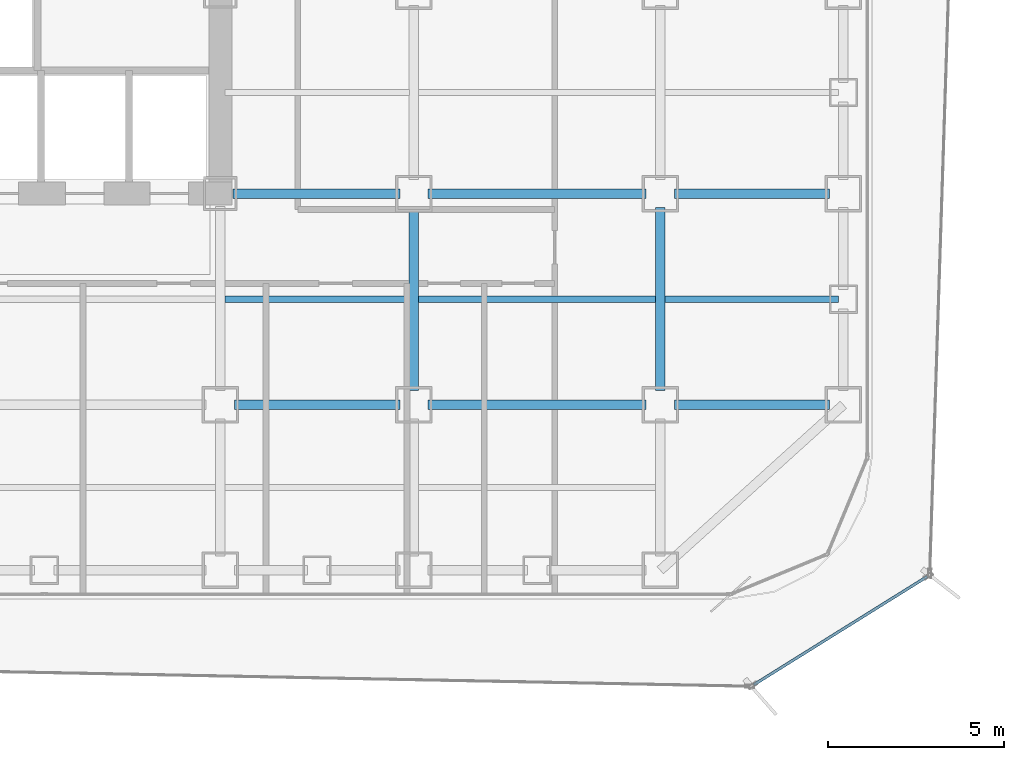
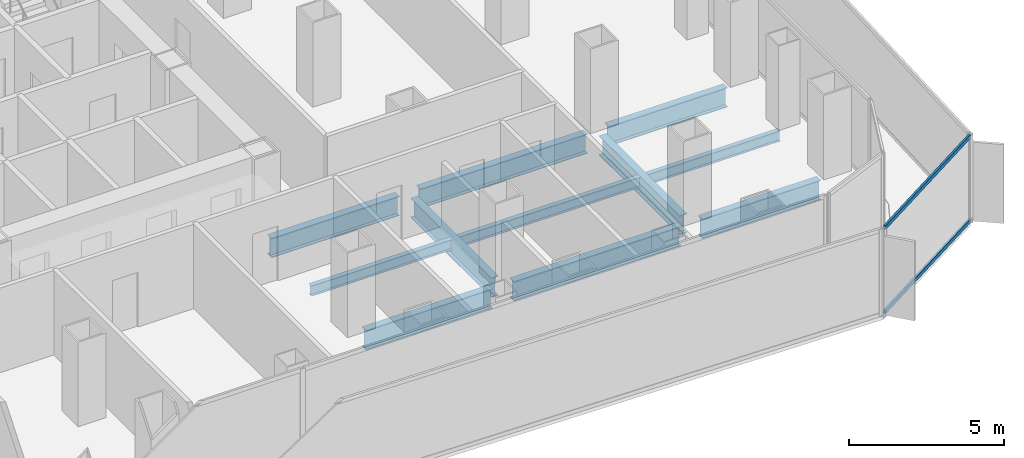
# One storey, part 7 of 22: 11 beams, 2 members, 1 element without a shape of its own.
"""IFC4 building model written with IfcOpenShell, lengths in metres."""

from ifc_helpers import new_model, si_unit, direction, frame, origin, origin_2d, place, context, subcontext, project, spatial, hollow_rectangle, i_section, extrude, source, transform, mapped, material, layer, layer_set, material_profile, profile_set, type_object, element, aggregate, save


model = new_model("IFC4")

# Units and contexts
model_context = context("Model", 3, precision=1e-05, world=origin(), true_north=direction((0.0, 1.0)))
body_context = subcontext(model_context, "Body", "Model", "MODEL_VIEW")
ifc_project = project(units=[si_unit("LENGTHUNIT", "METRE"), si_unit("AREAUNIT", "SQUARE_METRE"), si_unit("VOLUMEUNIT", "CUBIC_METRE"), si_unit("PLANEANGLEUNIT", "RADIAN"), si_unit("MASSUNIT", "GRAM", prefix="KILO")], contexts=[model_context])

# Site, building, storey
site_placement = place(None, origin())
site = spatial("IfcSite", under=ifc_project, at=site_placement, CompositionType="ELEMENT")
building_placement = place(site_placement, origin())
building = spatial("IfcBuilding", under=site, at=building_placement, Name="Kolveth Station Tower", CompositionType="ELEMENT")
storey_placement = place(building_placement, frame((0.0, 0.0, 51.300048828125)))
storey = spatial("IfcBuildingStorey", under=building, at=storey_placement, Name="L13", CompositionType="ELEMENT", Elevation=51.300048828125)

# Beams
ifc_material_1 = material(Name="Steel S355", Category="steel")
ifc_material_profile_1 = material_profile(ifc_material_1, i_section(OverallWidth=0.26708984375, OverallDepth=0.76611328125, WebThickness=0.014892578125, FlangeThickness=0.023681640625, at=origin_2d()), Name="W760x185")
ifc_profile_set_1 = profile_set([ifc_material_profile_1], Name="Steel S355")
beam_type_1 = type_object("IfcBeamType", Name="Beam_B3", PredefinedType="BEAM", material=ifc_profile_set_1)
shared_shape_1 = source(origin(), body_context, "Body", "SweptSolid", [
    extrude(i_section(OverallWidth=0.26708984375, OverallDepth=0.76611328125, WebThickness=0.014892578125, FlangeThickness=0.023681640625, at=origin_2d()), origin(), (0.0, 0.0, 1.0), 4.400146484375),
])
for number, where, z_axis, x_axis, name in (
    (1, (41.39990234375, 5.5, -0.6630859375), (1.0, 0.0, 0.0), (0.0, 1.0, 0.0), "L13 Primary Girder BM-L13-GY55-7"),
    (2, (41.39990234375, 11.5, -0.6630859375), (1.0, 0.0, 0.0), (0.0, 1.0, 0.0), "L13 Primary Girder BM-L13-GY115-7"),
):
    element("IfcBeam", number, at=place(storey_placement, frame(where, z_axis=z_axis, x_axis=x_axis)), inside=storey, type_object=beam_type_1, Name=name, PredefinedType="BEAM", context=body_context, shape_type="MappedRepresentation", body=[
        mapped(shared_shape_1, transform((0.0, 0.0, 0.0), x_axis=(1.0, 0.0, 0.0), y_axis=(0.0, 1.0, 0.0), z_axis=(0.0, 0.0, 1.0), scale=1.0)),
    ])
shared_shape_2 = source(origin(), body_context, "Body", "SweptSolid", [
    extrude(i_section(OverallWidth=0.26708984375, OverallDepth=0.76611328125, WebThickness=0.014892578125, FlangeThickness=0.023681640625, at=origin_2d()), origin(), (0.0, 0.0, 1.0), 6.2001953125),
])
for number, where, z_axis, x_axis, name in (
    (3, (34.39990234375, 5.5, -0.6630859375), (1.0, 0.0, 0.0), (0.0, 1.0, 0.0), "L13 Primary Girder BM-L13-GY55-6"),
    (4, (34.39990234375, 11.5, -0.6630859375), (1.0, 0.0, 0.0), (0.0, 1.0, 0.0), "L13 Primary Girder BM-L13-GY115-6"),
):
    element("IfcBeam", number, at=place(storey_placement, frame(where, z_axis=z_axis, x_axis=x_axis)), inside=storey, type_object=beam_type_1, Name=name, PredefinedType="BEAM", context=body_context, shape_type="MappedRepresentation", body=[
        mapped(shared_shape_2, transform((0.0, 0.0, 0.0), x_axis=(1.0, 0.0, 0.0), y_axis=(0.0, 1.0, 0.0), z_axis=(0.0, 0.0, 1.0), scale=1.0)),
    ])
shared_shape_3 = source(origin(), body_context, "Body", "SweptSolid", [
    extrude(i_section(OverallWidth=0.26708984375, OverallDepth=0.76611328125, WebThickness=0.014892578125, FlangeThickness=0.023681640625, at=origin_2d()), origin(), (0.0, 0.0, 1.0), 4.7001953125),
])
beam_1_placement = place(storey_placement, frame((28.89990234375, 5.5, -0.6630859375), z_axis=(1.0, 0.0, 0.0), x_axis=(0.0, 1.0, 0.0)))
element("IfcBeam", 5, at=beam_1_placement, inside=storey, type_object=beam_type_1, Name="L13 Primary Girder BM-L13-GY55-5", PredefinedType="BEAM", context=body_context, shape_type="MappedRepresentation", body=[
    mapped(shared_shape_3, transform((0.0, 0.0, 0.0), x_axis=(1.0, 0.0, 0.0), y_axis=(0.0, 1.0, 0.0), z_axis=(0.0, 0.0, 1.0), scale=1.0)),
])
shared_shape_4 = source(origin(), body_context, "Body", "SweptSolid", [
    extrude(i_section(OverallWidth=0.26708984375, OverallDepth=0.76611328125, WebThickness=0.014892578125, FlangeThickness=0.023681640625, at=origin_2d()), origin(), (0.0, 0.0, 1.0), 4.739990234375),
])
beam_2_placement = place(storey_placement, frame((28.860107421875, 11.5, -0.6630859375), z_axis=(1.0, 0.0, 0.0), x_axis=(0.0, 1.0, 0.0)))
element("IfcBeam", 6, at=beam_2_placement, inside=storey, type_object=beam_type_1, Name="L13 Primary Girder BM-L13-GY115-5", PredefinedType="BEAM", context=body_context, shape_type="MappedRepresentation", body=[
    mapped(shared_shape_4, transform((0.0, 0.0, 0.0), x_axis=(1.0, 0.0, 0.0), y_axis=(0.0, 1.0, 0.0), z_axis=(0.0, 0.0, 1.0), scale=1.0)),
])
shared_shape_5 = source(origin(), body_context, "Body", "SweptSolid", [
    extrude(i_section(OverallWidth=0.26708984375, OverallDepth=0.76611328125, WebThickness=0.014892578125, FlangeThickness=0.023681640625, at=origin_2d()), origin(), (0.0, 0.0, 1.0), 5.2001953125),
])
for number, where, z_axis, x_axis, name in (
    (7, (34.0, 5.89990234375, -0.6630859375), (0.0, 1.0, 0.0), (-1.0, 0.0, 0.0), "L13 Primary Girder BM-L13-GX340-2"),
    (8, (41.0, 5.89990234375, -0.6630859375), (0.0, 1.0, 0.0), (-1.0, 0.0, 0.0), "L13 Primary Girder BM-L13-GX410-2"),
):
    element("IfcBeam", number, at=place(storey_placement, frame(where, z_axis=z_axis, x_axis=x_axis)), inside=storey, type_object=beam_type_1, Name=name, PredefinedType="BEAM", context=body_context, shape_type="MappedRepresentation", body=[
        mapped(shared_shape_5, transform((0.0, 0.0, 0.0), x_axis=(1.0, 0.0, 0.0), y_axis=(0.0, 1.0, 0.0), z_axis=(0.0, 0.0, 1.0), scale=1.0)),
    ])
ifc_material_profile_2 = material_profile(ifc_material_1, i_section(OverallWidth=0.177978515625, OverallDepth=0.406982421875, WebThickness=0.0078125, FlangeThickness=0.0126953125, at=origin_2d()), Name="W410x60")
ifc_profile_set_2 = profile_set([ifc_material_profile_2], Name="Steel S355")
beam_type_2 = type_object("IfcBeamType", Name="Beam_J1", PredefinedType="JOIST", material=ifc_profile_set_2)
shared_shape_6 = source(origin(), body_context, "Body", "SweptSolid", [
    extrude(i_section(OverallWidth=0.177978515625, OverallDepth=0.406982421875, WebThickness=0.0078125, FlangeThickness=0.0126953125, at=origin_2d()), origin(), (0.0, 0.0, 1.0), 4.935791015625),
])
beam_3_placement = place(storey_placement, frame((41.131591796875, 8.5, -0.483642578125), z_axis=(1.0, 0.0, 0.0), x_axis=(0.0, 1.0, 0.0)))
element("IfcBeam", 9, at=beam_3_placement, inside=storey, type_object=beam_type_2, Name="L13 Secondary Joist JST-L13-7-2", PredefinedType="JOIST", context=body_context, shape_type="MappedRepresentation", body=[
    mapped(shared_shape_6, transform((0.0, 0.0, 0.0), x_axis=(1.0, 0.0, 0.0), y_axis=(0.0, 1.0, 0.0), z_axis=(0.0, 0.0, 1.0), scale=1.0)),
])
shared_shape_7 = source(origin(), body_context, "Body", "SweptSolid", [
    extrude(i_section(OverallWidth=0.177978515625, OverallDepth=0.406982421875, WebThickness=0.0078125, FlangeThickness=0.0126953125, at=origin_2d()), origin(), (0.0, 0.0, 1.0), 6.73681640625),
])
beam_4_placement = place(storey_placement, frame((34.131591796875, 8.5, -0.483642578125), z_axis=(1.0, 0.0, 0.0), x_axis=(0.0, 1.0, 0.0)))
element("IfcBeam", 10, at=beam_4_placement, inside=storey, type_object=beam_type_2, Name="L13 Secondary Joist JST-L13-6-2", PredefinedType="JOIST", context=body_context, shape_type="MappedRepresentation", body=[
    mapped(shared_shape_7, transform((0.0, 0.0, 0.0), x_axis=(1.0, 0.0, 0.0), y_axis=(0.0, 1.0, 0.0), z_axis=(0.0, 0.0, 1.0), scale=1.0)),
])
shared_shape_8 = source(origin(), body_context, "Body", "SweptSolid", [
    extrude(i_section(OverallWidth=0.177978515625, OverallDepth=0.406982421875, WebThickness=0.0078125, FlangeThickness=0.0126953125, at=origin_2d()), origin(), (0.0, 0.0, 1.0), 5.23681640625),
])
beam_5_placement = place(storey_placement, frame((28.631591796875, 8.5, -0.483642578125), z_axis=(1.0, 0.0, 0.0), x_axis=(0.0, 1.0, 0.0)))
element("IfcBeam", 11, at=beam_5_placement, inside=storey, type_object=beam_type_2, Name="L13 Secondary Joist JST-L13-5-2", PredefinedType="JOIST", context=body_context, shape_type="MappedRepresentation", body=[
    mapped(shared_shape_8, transform((0.0, 0.0, 0.0), x_axis=(1.0, 0.0, 0.0), y_axis=(0.0, 1.0, 0.0), z_axis=(0.0, 0.0, 1.0), scale=1.0)),
])

# Curtain wall, members
ifc_material_2 = material(Name="Black anodized aluminium 6063-T6 and dark solar glass", Category="aluminium")
ifc_layer = layer(ifc_material_2, 0.159912109375)
ifc_layer_set = layer_set([ifc_layer], Name="Black anodized aluminium 6063-T6 and dark solar glass")
curtain_wall_type = type_object("IfcCurtainWallType", Name="OUTER SKIN CW-OS", PredefinedType="NOTDEFINED", material=ifc_layer_set)
curtain_wall_placement = place(storey_placement, origin())
curtain_wall = element("IfcCurtainWall", 12, at=curtain_wall_placement, inside=storey, type_object=curtain_wall_type, Name="L13 Outer Ventilated Skin Curtain Wall 1", PredefinedType="NOTDEFINED")
ifc_material_3 = material(Name="Black anodized aluminium 6063-T6", Category="aluminium")
ifc_material_profile_3 = material_profile(ifc_material_3, hollow_rectangle(XDim=0.080078125, YDim=0.14990234375, WallThickness=0.0048828125, at=origin_2d()), Name="ALU-80x150x5")
ifc_profile_set_3 = profile_set([ifc_material_profile_3], Name="Black anodized aluminium 6063-T6")
member_type = type_object("IfcMemberType", Name="Transom_TR-OS", PredefinedType="USERDEFINED", material=ifc_profile_set_3)
shared_shape_9 = source(origin(), body_context, "Body", "SweptSolid", [
    extrude(hollow_rectangle(XDim=0.080078125, YDim=0.14990234375, WallThickness=0.0048828125, at=origin_2d()), origin(), (0.0, 0.0, 1.0), 5.797607421875),
])
member_1_placement = place(storey_placement, frame((43.65869140625, -2.45166015625, 0.0400390625), z_axis=(0.848523083865, 0.529158365849, 0.0), x_axis=(-0.529158365849, 0.848523083865, 0.0)))
member_1 = element("IfcMember", 13, at=member_1_placement, type_object=member_type, Name="CW-OS transom 1.1", ObjectType="TRANSOM", PredefinedType="USERDEFINED", context=body_context, shape_type="MappedRepresentation", body=[
    mapped(shared_shape_9, transform((0.0, 0.0, 0.0), x_axis=(1.0, 0.0, 0.0), y_axis=(0.0, 1.0, 0.0), z_axis=(0.0, 0.0, 1.0), scale=1.0)),
])
member_2_placement = place(storey_placement, frame((43.65869140625, -2.45166015625, 3.349853515625), z_axis=(0.848523083865, 0.529158365849, 0.0), x_axis=(-0.529158365849, 0.848523083865, 0.0)))
member_2 = element("IfcMember", 14, at=member_2_placement, type_object=member_type, Name="CW-OS transom 1.2", ObjectType="TRANSOM", PredefinedType="USERDEFINED", context=body_context, shape_type="MappedRepresentation", body=[
    mapped(shared_shape_9, transform((0.0, 0.0, 0.0), x_axis=(1.0, 0.0, 0.0), y_axis=(0.0, 1.0, 0.0), z_axis=(0.0, 0.0, 1.0), scale=1.0)),
])
aggregate(curtain_wall, [member_1, member_2])

save(model, "model.ifc")
